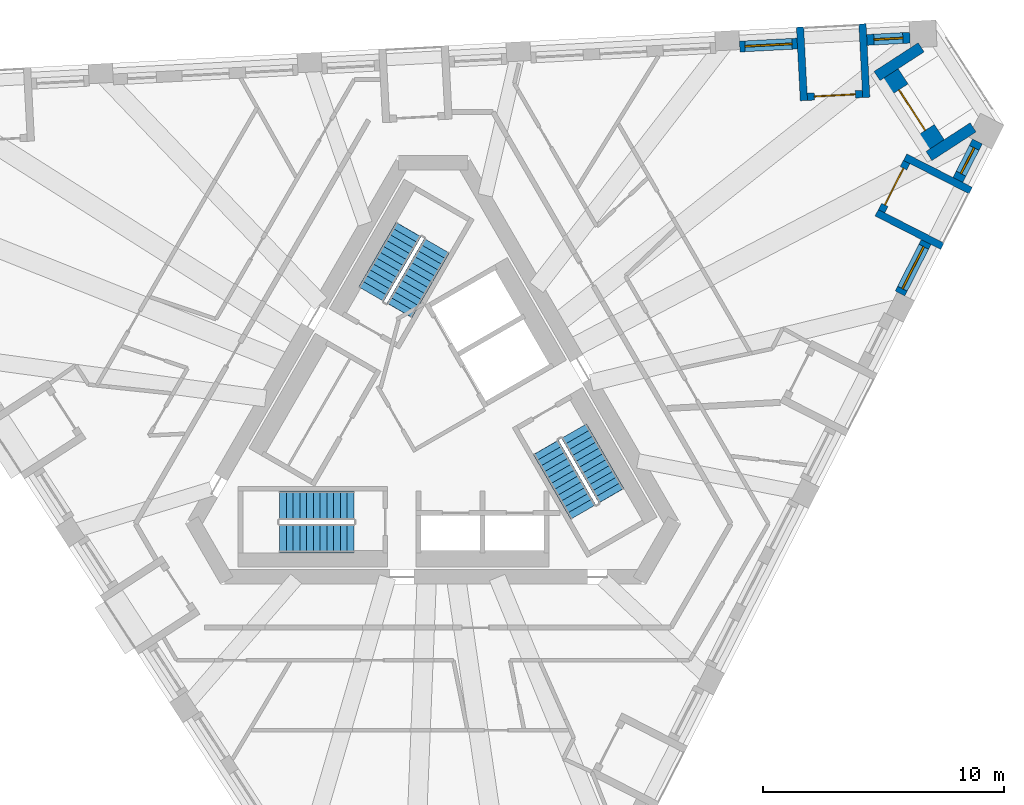
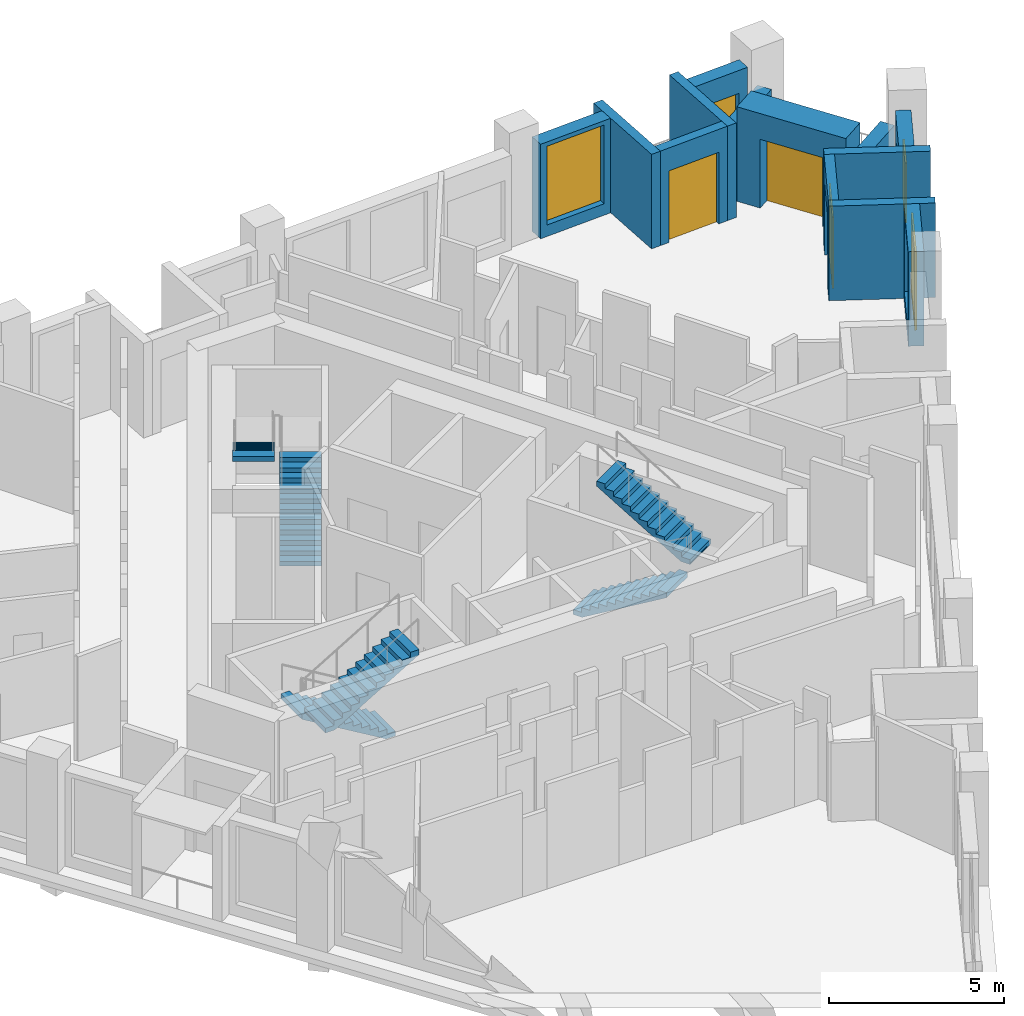
# One storey, part 8 of 12: 13 walls, 6 stair flights, 4 windows, 3 doors, 7 openings, 3 elements without a shape of their own.
"""IFC4 building model written with IfcOpenShell, lengths in metres."""

from ifc_helpers import new_model, si_unit, direction, frame, frame_2d, origin, place, context, subcontext, project, spatial, polyline, rectangle, outline, extrude, material, layer, layer_set, type_object, element, fill, aggregate, save


model = new_model("IFC4")

# Units and contexts
model_context = context("Model", 3, precision=1e-05, world=origin(), true_north=direction((0.0, 1.0)))
body_context = subcontext(model_context, "Body", "Model", "MODEL_VIEW")
ifc_project = project(units=[si_unit("LENGTHUNIT", "METRE"), si_unit("AREAUNIT", "SQUARE_METRE"), si_unit("VOLUMEUNIT", "CUBIC_METRE"), si_unit("PLANEANGLEUNIT", "RADIAN"), si_unit("MASSUNIT", "GRAM", prefix="KILO")], contexts=[model_context])

# Site, building, storey
site_placement = place(None, origin())
site = spatial("IfcSite", under=ifc_project, at=site_placement, CompositionType="ELEMENT")
building_placement = place(site_placement, origin())
building = spatial("IfcBuilding", under=site, at=building_placement, Name="Tramontana Tower", CompositionType="ELEMENT")
storey_placement = place(building_placement, frame((0.0, 0.0, 298.39990234375)))
storey = spatial("IfcBuildingStorey", under=building, at=storey_placement, Name="L70", CompositionType="ELEMENT", Elevation=298.39990234375)

# Wall, opening, window
ifc_material_1 = material(Name="Precast concrete 60 MPa", Category="concrete")
ifc_layer_1 = layer(ifc_material_1, 0.449951171875)
ifc_layer_set_1 = layer_set([ifc_layer_1], Name="Precast concrete 60 MPa, 450 mm")
wall_type_1 = type_object("IfcWallType", Name="EW1 Stone-faced precast wall 450", PredefinedType="SOLIDWALL", material=ifc_layer_set_1)
wall_1_placement = place(storey_placement, frame((19.333740234375, 5.28955078125, 0.0), z_axis=(0.0, 0.0, 1.0), x_axis=(0.453951830128, 0.891026226283, 0.0)))
wall_1 = element("IfcWall", 1, at=wall_1_placement, inside=storey, type_object=wall_type_1, Name="External wall L70 face 1 bay 5", PredefinedType="SOLIDWALL", context=body_context, shape_type="SweptSolid", body=[
    extrude(rectangle(XDim=2.38671875, YDim=0.449951171875, at=frame_2d((1.193359375, 0.0))), origin(), (0.0, 0.0, 1.0), 3.300048828125),
])
opening_1_placement = place(wall_1_placement, frame((0.21826171875, 0.0, 0.39990234375)))
opening_1 = element("IfcOpeningElement", 2, at=opening_1_placement, cuts=wall_1, Name="Opening M3", PredefinedType="OPENING", context=body_context, shape_type="SweptSolid", body=[
    extrude(rectangle(XDim=1.949951171875, YDim=2.75, at=frame_2d((0.97509765625, 1.375))), frame((0.0, 0.23486328125, 0.0), z_axis=(0.0, -1.0, 0.0), x_axis=(1.0, 0.0, 0.0)), (0.0, 0.0, 1.0), 0.469970703125),
])
ifc_material_2 = material(Name="Aluminum frame, double glazing unit", Category="aluminium")
window_type_1 = type_object("IfcWindowType", Name="M3 Window 1.95 x 2.75", PartitioningType="SINGLE_PANEL", PredefinedType="WINDOW", material=ifc_material_2)
window_1_placement = place(opening_1_placement, origin())
window_1 = element("IfcWindow", 3, at=window_1_placement, inside=storey, type_object=window_type_1, Name="Window M3 L70 face 1 module 13", OverallHeight=2.75, OverallWidth=1.949951171875, PartitioningType="SINGLE_PANEL", PredefinedType="WINDOW", context=body_context, shape_type="SweptSolid", body=[
    extrude(rectangle(XDim=1.949951171875, YDim=2.75, at=frame_2d((0.97509765625, 1.375))), frame((0.0, 0.030029296875, 0.0), z_axis=(0.0, -1.0, 0.0), x_axis=(1.0, 0.0, 0.0)), (0.0, 0.0, 1.0), 0.06005859375),
])
fill(opening_1, window_1)

wall_2_placement = place(storey_placement, frame((21.727783203125, 9.98828125, 0.0), z_axis=(0.0, 0.0, 1.0), x_axis=(0.454032211525, 0.890985269742, 0.0)))
wall_2 = element("IfcWall", 4, at=wall_2_placement, inside=storey, type_object=wall_type_1, Name="External wall L70 face 1 bay 5", PredefinedType="SOLIDWALL", context=body_context, shape_type="SweptSolid", body=[
    extrude(rectangle(XDim=1.786865234375, YDim=0.449951171875, at=frame_2d((0.8935546875, 0.0))), origin(), (0.0, 0.0, 1.0), 3.300048828125),
])
opening_2_placement = place(wall_2_placement, frame((0.29345703125, 0.0, 0.39990234375)))
opening_2 = element("IfcOpeningElement", 5, at=opening_2_placement, cuts=wall_2, Name="Opening N3L", PredefinedType="OPENING", context=body_context, shape_type="SweptSolid", body=[
    extrude(rectangle(XDim=1.199951171875, YDim=2.10009765625, at=frame_2d((0.60009765625, 1.050048828125))), frame((0.0, 0.23486328125, 0.0), z_axis=(0.0, -1.0, 0.0), x_axis=(1.0, 0.0, 0.0)), (0.0, 0.0, 1.0), 0.469970703125),
])
ifc_material_3 = material(Name="Aluminum frame, double glazing unit", Category="aluminium")
window_type_2 = type_object("IfcWindowType", Name="N3L Window 1.2 x 2.1", PartitioningType="SINGLE_PANEL", PredefinedType="WINDOW", material=ifc_material_3)
window_2_placement = place(opening_2_placement, origin())
window_2 = element("IfcWindow", 6, at=window_2_placement, inside=storey, type_object=window_type_2, Name="Window N3L L70 face 1 module 15", OverallHeight=2.10009765625, OverallWidth=1.199951171875, PartitioningType="SINGLE_PANEL", PredefinedType="WINDOW", context=body_context, shape_type="SweptSolid", body=[
    extrude(rectangle(XDim=1.199951171875, YDim=2.10009765625, at=frame_2d((0.60009765625, 1.050048828125))), frame((0.0, 0.030029296875, 0.0), z_axis=(0.0, -1.0, 0.0), x_axis=(1.0, 0.0, 0.0)), (0.0, 0.0, 1.0), 0.06005859375),
])
fill(opening_2, window_2)

wall_3_placement = place(storey_placement, frame((19.74658203125, 15.880126953125, 0.0), z_axis=(0.0, 0.0, 1.0), x_axis=(-0.998629506551, -0.052336494391, 0.0)))
wall_3 = element("IfcWall", 7, at=wall_3_placement, inside=storey, type_object=wall_type_1, Name="External wall L70 face 2 bay 1", PredefinedType="SOLIDWALL", context=body_context, shape_type="SweptSolid", body=[
    extrude(rectangle(XDim=1.78662109375, YDim=0.449951171875, at=frame_2d((0.893310546875, 0.0))), origin(), (0.0, 0.0, 1.0), 3.300048828125),
])
opening_3_placement = place(wall_3_placement, frame((0.29345703125, 0.0, 0.39990234375)))
opening_3 = element("IfcOpeningElement", 8, at=opening_3_placement, cuts=wall_3, Name="Opening N3L", PredefinedType="OPENING", context=body_context, shape_type="SweptSolid", body=[
    extrude(rectangle(XDim=1.199951171875, YDim=2.10009765625, at=frame_2d((0.60009765625, 1.050048828125))), frame((0.0, 0.23486328125, 0.0), z_axis=(0.0, -1.0, 0.0), x_axis=(1.0, 0.0, 0.0)), (0.0, 0.0, 1.0), 0.469970703125),
])
window_3_placement = place(opening_3_placement, origin())
window_3 = element("IfcWindow", 9, at=window_3_placement, inside=storey, type_object=window_type_2, Name="Window N3L L70 face 2 module 1", OverallHeight=2.10009765625, OverallWidth=1.199951171875, PartitioningType="SINGLE_PANEL", PredefinedType="WINDOW", context=body_context, shape_type="SweptSolid", body=[
    extrude(rectangle(XDim=1.199951171875, YDim=2.10009765625, at=frame_2d((0.60009765625, 1.050048828125))), frame((0.0, 0.030029296875, 0.0), z_axis=(0.0, -1.0, 0.0), x_axis=(1.0, 0.0, 0.0)), (0.0, 0.0, 1.0), 0.06005859375),
])
fill(opening_3, window_3)

wall_4_placement = place(storey_placement, frame((15.07958984375, 15.6357421875, 0.0), z_axis=(0.0, 0.0, 1.0), x_axis=(-0.998627701279, -0.052370929331, 0.0)))
wall_4 = element("IfcWall", 10, at=wall_4_placement, inside=storey, type_object=wall_type_1, Name="External wall L70 face 2 bay 1", PredefinedType="SOLIDWALL", context=body_context, shape_type="SweptSolid", body=[
    extrude(rectangle(XDim=2.38671875, YDim=0.449951171875, at=frame_2d((1.193359375, 0.0))), origin(), (0.0, 0.0, 1.0), 3.300048828125),
])
opening_4_placement = place(wall_4_placement, frame((0.21826171875, 0.0, 0.39990234375)))
opening_4 = element("IfcOpeningElement", 11, at=opening_4_placement, cuts=wall_4, Name="Opening M3", PredefinedType="OPENING", context=body_context, shape_type="SweptSolid", body=[
    extrude(rectangle(XDim=1.949951171875, YDim=2.75, at=frame_2d((0.97509765625, 1.375))), frame((0.0, 0.23486328125, 0.0), z_axis=(0.0, -1.0, 0.0), x_axis=(1.0, 0.0, 0.0)), (0.0, 0.0, 1.0), 0.469970703125),
])
window_4_placement = place(opening_4_placement, origin())
window_4 = element("IfcWindow", 12, at=window_4_placement, inside=storey, type_object=window_type_1, Name="Window M3 L70 face 2 module 3", OverallHeight=2.75, OverallWidth=1.949951171875, PartitioningType="SINGLE_PANEL", PredefinedType="WINDOW", context=body_context, shape_type="SweptSolid", body=[
    extrude(rectangle(XDim=1.949951171875, YDim=2.75, at=frame_2d((0.97509765625, 1.375))), frame((0.0, 0.030029296875, 0.0), z_axis=(0.0, -1.0, 0.0), x_axis=(1.0, 0.0, 0.0)), (0.0, 0.0, 1.0), 0.06005859375),
])
fill(opening_4, window_4)

# Walls
for number, where, z_axis, x_axis, name in (
    (13, (20.209228515625, 15.478759765625, 0.0), (0.0, 0.0, 1.0), (-0.838694375731, -0.544602372486, 0.0), "Corner loggia side wall L70 K72l"),
    (14, (22.3603515625, 12.166015625, 0.0), (0.0, 0.0, 1.0), (-0.838694375731, -0.544602372486, 0.0), "Corner loggia side wall L70 K72r"),
):
    element("IfcWall", number, at=place(storey_placement, frame(where, z_axis=z_axis, x_axis=x_axis)), inside=storey, type_object=wall_type_1, Name=name, PredefinedType="SOLIDWALL", context=body_context, shape_type="SweptSolid", body=[
        extrude(rectangle(XDim=2.17919921875, YDim=0.449951171875, at=frame_2d((1.089599609375, 0.0))), origin(), (0.0, 0.0, 1.0), 2.550048828125),
    ])

# Wall, opening, door
ifc_material_4 = material(Name="Precast concrete 60 MPa", Category="concrete")
ifc_layer_2 = layer(ifc_material_4, 0.89990234375)
ifc_layer_set_2 = layer_set([ifc_layer_2], Name="EW2 Stone-faced corner loggia wall 900")
wall_type_2 = type_object("IfcWallType", Name="EW2 Stone-faced corner loggia wall 900", PredefinedType="SOLIDWALL", material=ifc_layer_set_2)
wall_5_placement = place(storey_placement, frame((18.88134765625, 14.348388671875, 0.0), z_axis=(0.0, 0.0, 1.0), x_axis=(0.544647498784, -0.838665071449, 0.0)))
wall_5 = element("IfcWall", 15, at=wall_5_placement, inside=storey, type_object=wall_type_2, Name="Corner loggia wall L70 K72", PredefinedType="SOLIDWALL", context=body_context, shape_type="SweptSolid", body=[
    extrude(rectangle(XDim=3.5, YDim=0.89990234375, at=frame_2d((1.75, 0.0))), origin(), (0.0, 0.0, 1.0), 3.300048828125),
])
opening_5_placement = place(wall_5_placement, frame((0.75, 0.0, 0.0)))
opening_5 = element("IfcOpeningElement", 16, at=opening_5_placement, cuts=wall_5, Name="Opening BD-72C", PredefinedType="OPENING", context=body_context, shape_type="SweptSolid", body=[
    extrude(rectangle(XDim=2.0, YDim=2.39990234375, at=frame_2d((1.0, 1.199951171875))), frame((0.0, 0.4599609375, 0.0), z_axis=(0.0, -1.0, 0.0), x_axis=(1.0, 0.0, 0.0)), (0.0, 0.0, 1.0), 0.919921875),
])
ifc_material_5 = material(Name="Aluminum frame, double glazing unit", Category="aluminium")
door_type_1 = type_object("IfcDoorType", Name="BC1 Sliding door 2 x 2.4", OperationType="SLIDING_TO_LEFT", PredefinedType="DOOR", material=ifc_material_5)
door_1_placement = place(opening_5_placement, origin())
door_1 = element("IfcDoor", 17, at=door_1_placement, inside=storey, type_object=door_type_1, Name="Corner loggia door L70 K72", OperationType="SLIDING_TO_LEFT", OverallHeight=2.39990234375, OverallWidth=2.0, PredefinedType="DOOR", context=body_context, shape_type="SweptSolid", body=[
    extrude(rectangle(XDim=2.0, YDim=2.39990234375, at=frame_2d((1.0, 1.199951171875))), frame((0.0, 0.02490234375, 0.0), z_axis=(0.0, -1.0, 0.0), x_axis=(1.0, 0.0, 0.0)), (0.0, 0.0, 1.0), 0.050048828125),
])
fill(opening_5, door_1)

ifc_material_6 = material(Name="Precast concrete 60 MPa", Category="concrete")
ifc_layer_3 = layer(ifc_material_6, 0.300048828125)
ifc_layer_set_3 = layer_set([ifc_layer_3], Name="LW1 Stone-faced loggia wall 300")
wall_type_3 = type_object("IfcWallType", Name="LW1 Stone-faced loggia wall 300", PredefinedType="SOLIDWALL", material=ifc_layer_set_3)
wall_6_placement = place(storey_placement, frame((18.571044921875, 8.693603515625, 0.0), z_axis=(0.0, 0.0, 1.0), x_axis=(0.453948171533, 0.89102809022, 0.0)))
wall_6 = element("IfcWall", 18, at=wall_6_placement, inside=storey, type_object=wall_type_3, Name="Loggia wall L70 G7S1.13", PredefinedType="SOLIDWALL", context=body_context, shape_type="SweptSolid", body=[
    extrude(rectangle(XDim=2.286865234375, YDim=0.300048828125, at=frame_2d((1.1435546875, 0.0))), origin(), (0.0, 0.0, 1.0), 3.300048828125),
])
opening_6_placement = place(wall_6_placement, frame((0.29345703125, 0.0, 0.0)))
opening_6 = element("IfcOpeningElement", 19, at=opening_6_placement, cuts=wall_6, Name="Opening BD-7S1-13", PredefinedType="OPENING", context=body_context, shape_type="SweptSolid", body=[
    extrude(rectangle(XDim=1.699951171875, YDim=2.5, at=frame_2d((0.85009765625, 1.25))), frame((0.0, 0.159912109375, 0.0), z_axis=(0.0, -1.0, 0.0), x_axis=(1.0, 0.0, 0.0)), (0.0, 0.0, 1.0), 0.320068359375),
])
ifc_material_7 = material(Name="Aluminum frame, double glazing unit", Category="aluminium")
door_type_2 = type_object("IfcDoorType", Name="BD3 Sliding door 1.7 x 2.5", OperationType="SLIDING_TO_LEFT", PredefinedType="DOOR", material=ifc_material_7)
door_2_placement = place(opening_6_placement, origin())
door_2 = element("IfcDoor", 20, at=door_2_placement, inside=storey, type_object=door_type_2, Name="Loggia door L70 G7S1.13", OperationType="SLIDING_TO_LEFT", OverallHeight=2.5, OverallWidth=1.699951171875, PredefinedType="DOOR", context=body_context, shape_type="SweptSolid", body=[
    extrude(rectangle(XDim=1.699951171875, YDim=2.5, at=frame_2d((0.85009765625, 1.25))), frame((0.0, 0.02490234375, 0.0), z_axis=(0.0, -1.0, 0.0), x_axis=(1.0, 0.0, 0.0)), (0.0, 0.0, 1.0), 0.050048828125),
])
fill(opening_6, door_2)

# Walls
for number, where, z_axis, x_axis, name in (
    (21, (21.086669921875, 7.243408203125, 0.0), (0.0, 0.0, 1.0), (-0.890991233495, 0.454020508165, 0.0), "Loggia return L70 G7S1.13a"),
    (22, (22.26123046875, 9.54833984375, 0.0), (0.0, 0.0, 1.0), (-0.891040107702, 0.453924582355, 0.0), "Loggia return L70 G7S1.13b"),
):
    element("IfcWall", number, at=place(storey_placement, frame(where, z_axis=z_axis, x_axis=x_axis)), inside=storey, type_object=wall_type_3, Name=name, PredefinedType="SOLIDWALL", context=body_context, shape_type="SweptSolid", body=[
        extrude(rectangle(XDim=3.050048828125, YDim=0.300048828125, at=frame_2d((1.52490234375, 0.0))), origin(), (0.0, 0.0, 1.0), 3.300048828125),
    ])

# Wall, opening, door
wall_7_placement = place(storey_placement, frame((17.779052734375, 13.549072265625, 0.0), z_axis=(0.0, 0.0, 1.0), x_axis=(-0.998630483018, -0.052317859155, 0.0)))
wall_7 = element("IfcWall", 23, at=wall_7_placement, inside=storey, type_object=wall_type_3, Name="Loggia wall L70 G7S2.1", PredefinedType="SOLIDWALL", context=body_context, shape_type="SweptSolid", body=[
    extrude(rectangle(XDim=2.28662109375, YDim=0.300048828125, at=frame_2d((1.143310546875, 0.0))), origin(), (0.0, 0.0, 1.0), 3.300048828125),
])
opening_7_placement = place(wall_7_placement, frame((0.29345703125, 0.0, 0.0)))
opening_7 = element("IfcOpeningElement", 24, at=opening_7_placement, cuts=wall_7, Name="Opening BD-7S2-01", PredefinedType="OPENING", context=body_context, shape_type="SweptSolid", body=[
    extrude(rectangle(XDim=1.699951171875, YDim=2.5, at=frame_2d((0.85009765625, 1.25))), frame((0.0, 0.159912109375, 0.0), z_axis=(0.0, -1.0, 0.0), x_axis=(1.0, 0.0, 0.0)), (0.0, 0.0, 1.0), 0.320068359375),
])
door_3_placement = place(opening_7_placement, origin())
door_3 = element("IfcDoor", 25, at=door_3_placement, inside=storey, type_object=door_type_2, Name="Loggia door L70 G7S2.1", OperationType="SLIDING_TO_LEFT", OverallHeight=2.5, OverallWidth=1.699951171875, PredefinedType="DOOR", context=body_context, shape_type="SweptSolid", body=[
    extrude(rectangle(XDim=1.699951171875, YDim=2.5, at=frame_2d((0.85009765625, 1.25))), frame((0.0, 0.02490234375, 0.0), z_axis=(0.0, -1.0, 0.0), x_axis=(1.0, 0.0, 0.0)), (0.0, 0.0, 1.0), 0.050048828125),
])
fill(opening_7, door_3)

# Walls
wall_8_placement = place(storey_placement, frame((17.777099609375, 16.452880859375, 0.0), z_axis=(0.0, 0.0, 1.0), x_axis=(0.052352956549, -0.998628643661, 0.0)))
element("IfcWall", 26, at=wall_8_placement, inside=storey, type_object=wall_type_3, Name="Loggia return L70 G7S2.1a", PredefinedType="SOLIDWALL", context=body_context, shape_type="SweptSolid", body=[
    extrude(rectangle(XDim=3.0498046875, YDim=0.300048828125, at=frame_2d((1.52490234375, 0.0))), origin(), (0.0, 0.0, 1.0), 3.300048828125),
])
wall_9_placement = place(storey_placement, frame((15.19384765625, 16.317626953125, 0.0), z_axis=(0.0, 0.0, 1.0), x_axis=(0.052348771756, -0.99862886304, 0.0)))
element("IfcWall", 27, at=wall_9_placement, inside=storey, type_object=wall_type_3, Name="Loggia return L70 G7S2.1b", PredefinedType="SOLIDWALL", context=body_context, shape_type="SweptSolid", body=[
    extrude(rectangle(XDim=3.050048828125, YDim=0.300048828125, at=frame_2d((1.52490234375, 0.0))), origin(), (0.0, 0.0, 1.0), 3.300048828125),
])

# Stair, stair flights
ifc_material_8 = material(Name="Concrete 40 MPa", Category="concrete")
stair_type = type_object("IfcStairType", Name="EXIT STAIR 24 RISERS", PredefinedType="HALF_TURN_STAIR", material=ifc_material_8)
stair_1_placement = place(storey_placement, origin())
stair_1 = element("IfcStair", 28, at=stair_1_placement, inside=storey, type_object=stair_type, Name="L70 Exit stair ST1", PredefinedType="HALF_TURN_STAIR")
ifc_material_9 = material(Name="Concrete 40 MPa", Category="concrete")
ifc_layer_4 = layer(ifc_material_9, 0.14990234375)
ifc_layer_set_4 = layer_set([ifc_layer_4], Name="EXIT STAIR FLIGHT")
stair_flight_type = type_object("IfcStairFlightType", Name="EXIT STAIR FLIGHT", PredefinedType="STRAIGHT", material=ifc_layer_set_4)
stair_flight_1_placement = place(storey_placement, frame((-1.39111328125, 4.590576171875, 0.0), z_axis=(0.0, 0.0, 1.0), x_axis=(0.5, 0.866025403784, 0.0)))
stair_flight_1 = element("IfcStairFlight", 29, at=stair_flight_1_placement, type_object=stair_flight_type, Name="ST1 flight 1", NumberOfRisers=12, NumberOfTreads=11, PredefinedType="STRAIGHT", RiserHeight=0.166666667, TreadLength=0.28, context=body_context, shape_type="SweptSolid", body=[
    extrude(outline(polyline([(-0.006103515625, 0.0), (-0.006103515625, 0.0400390625), (0.0, 0.0400390625), (0.0, 0.166748046875), (0.280029296875, 0.166748046875), (0.280029296875, 0.333251953125), (0.56005859375, 0.333251953125), (0.56005859375, 0.5), (0.840087890625, 0.5), (0.840087890625, 0.666748046875), (1.1201171875, 0.666748046875), (1.1201171875, 0.833251953125), (1.39990234375, 0.833251953125), (1.39990234375, 1.0), (1.679931640625, 1.0), (1.679931640625, 1.166748046875), (1.9599609375, 1.166748046875), (1.9599609375, 1.333251953125), (2.239990234375, 1.333251953125), (2.239990234375, 1.5), (2.52001953125, 1.5), (2.52001953125, 1.666748046875), (2.800048828125, 1.666748046875), (2.800048828125, 1.833251953125), (3.080078125, 1.833251953125), (3.0859375, 1.833251953125), (3.0859375, 1.658935546875), (0.299072265625, 0.0), (-0.006103515625, 0.0)])), frame((0.0, 0.60009765625, 0.0), z_axis=(0.0, -1.0, 0.0), x_axis=(1.0, 0.0, 0.0)), (0.0, 0.0, 1.0), 1.199951171875),
])
stair_flight_2_placement = place(storey_placement, frame((-1.020263671875, 7.932861328125, 2.0), z_axis=(0.0, 0.0, 1.0), x_axis=(-0.5, -0.866025403784, 0.0)))
stair_flight_2 = element("IfcStairFlight", 30, at=stair_flight_2_placement, type_object=stair_flight_type, Name="ST1 flight 2", NumberOfRisers=12, NumberOfTreads=11, PredefinedType="STRAIGHT", RiserHeight=0.166666667, TreadLength=0.28, context=body_context, shape_type="SweptSolid", body=[
    extrude(outline(polyline([(-0.006103515625, 0.0), (-0.006103515625, 0.0400390625), (0.0, 0.0400390625), (0.0, 0.166748046875), (0.280029296875, 0.166748046875), (0.280029296875, 0.333251953125), (0.56005859375, 0.333251953125), (0.56005859375, 0.5), (0.840087890625, 0.5), (0.840087890625, 0.666748046875), (1.1201171875, 0.666748046875), (1.1201171875, 0.833251953125), (1.39990234375, 0.833251953125), (1.39990234375, 1.0), (1.679931640625, 1.0), (1.679931640625, 1.166748046875), (1.9599609375, 1.166748046875), (1.9599609375, 1.333251953125), (2.239990234375, 1.333251953125), (2.239990234375, 1.5), (2.52001953125, 1.5), (2.52001953125, 1.666748046875), (2.800048828125, 1.666748046875), (2.800048828125, 1.833251953125), (3.080078125, 1.833251953125), (3.0859375, 1.833251953125), (3.0859375, 1.658935546875), (0.299072265625, 0.0), (-0.006103515625, 0.0)])), frame((0.0, 0.60009765625, 0.0), z_axis=(0.0, -1.0, 0.0), x_axis=(1.0, 0.0, 0.0)), (0.0, 0.0, 1.0), 1.199951171875),
])
aggregate(stair_1, [stair_flight_1, stair_flight_2])

stair_2_placement = place(storey_placement, origin())
stair_2 = element("IfcStair", 31, at=stair_2_placement, inside=storey, type_object=stair_type, Name="L70 Exit stair ST2", PredefinedType="HALF_TURN_STAIR")
stair_flight_3_placement = place(storey_placement, frame((-3.280029296875, -3.5, 0.0), z_axis=(0.0, 0.0, 1.0), x_axis=(-1.0, 0.0, 0.0)))
stair_flight_3 = element("IfcStairFlight", 32, at=stair_flight_3_placement, type_object=stair_flight_type, Name="ST2 flight 1", NumberOfRisers=12, NumberOfTreads=11, PredefinedType="STRAIGHT", RiserHeight=0.166666667, TreadLength=0.28, context=body_context, shape_type="SweptSolid", body=[
    extrude(outline(polyline([(-0.006103515625, 0.0), (-0.006103515625, 0.0400390625), (0.0, 0.0400390625), (0.0, 0.166748046875), (0.280029296875, 0.166748046875), (0.280029296875, 0.333251953125), (0.56005859375, 0.333251953125), (0.56005859375, 0.5), (0.840087890625, 0.5), (0.840087890625, 0.666748046875), (1.1201171875, 0.666748046875), (1.1201171875, 0.833251953125), (1.39990234375, 0.833251953125), (1.39990234375, 1.0), (1.679931640625, 1.0), (1.679931640625, 1.166748046875), (1.9599609375, 1.166748046875), (1.9599609375, 1.333251953125), (2.239990234375, 1.333251953125), (2.239990234375, 1.5), (2.52001953125, 1.5), (2.52001953125, 1.666748046875), (2.800048828125, 1.666748046875), (2.800048828125, 1.833251953125), (3.080078125, 1.833251953125), (3.0859375, 1.833251953125), (3.0859375, 1.658935546875), (0.299072265625, 0.0), (-0.006103515625, 0.0)])), frame((0.0, 0.60009765625, 0.0), z_axis=(0.0, -1.0, 0.0), x_axis=(1.0, 0.0, 0.0)), (0.0, 0.0, 1.0), 1.199951171875),
])
stair_flight_4_placement = place(storey_placement, frame((-6.360107421875, -4.85009765625, 2.0), z_axis=(0.0, 0.0, 1.0), x_axis=(1.0, 0.0, 0.0)))
stair_flight_4 = element("IfcStairFlight", 33, at=stair_flight_4_placement, type_object=stair_flight_type, Name="ST2 flight 2", NumberOfRisers=12, NumberOfTreads=11, PredefinedType="STRAIGHT", RiserHeight=0.166666667, TreadLength=0.28, context=body_context, shape_type="SweptSolid", body=[
    extrude(outline(polyline([(-0.006103515625, 0.0), (-0.006103515625, 0.0400390625), (0.0, 0.0400390625), (0.0, 0.166748046875), (0.280029296875, 0.166748046875), (0.280029296875, 0.333251953125), (0.56005859375, 0.333251953125), (0.56005859375, 0.5), (0.840087890625, 0.5), (0.840087890625, 0.666748046875), (1.1201171875, 0.666748046875), (1.1201171875, 0.833251953125), (1.39990234375, 0.833251953125), (1.39990234375, 1.0), (1.679931640625, 1.0), (1.679931640625, 1.166748046875), (1.9599609375, 1.166748046875), (1.9599609375, 1.333251953125), (2.239990234375, 1.333251953125), (2.239990234375, 1.5), (2.52001953125, 1.5), (2.52001953125, 1.666748046875), (2.800048828125, 1.666748046875), (2.800048828125, 1.833251953125), (3.080078125, 1.833251953125), (3.0859375, 1.833251953125), (3.0859375, 1.658935546875), (0.299072265625, 0.0), (-0.006103515625, 0.0)])), frame((0.0, 0.60009765625, 0.0), z_axis=(0.0, -1.0, 0.0), x_axis=(1.0, 0.0, 0.0)), (0.0, 0.0, 1.0), 1.199951171875),
])
aggregate(stair_2, [stair_flight_3, stair_flight_4])

stair_3_placement = place(storey_placement, origin())
stair_3 = element("IfcStair", 34, at=stair_3_placement, inside=storey, type_object=stair_type, Name="L70 Exit stair ST3", PredefinedType="HALF_TURN_STAIR")
stair_flight_5_placement = place(storey_placement, frame((4.671142578125, -1.090576171875, 0.0), z_axis=(0.0, 0.0, 1.0), x_axis=(0.5, -0.866025403784, 0.0)))
stair_flight_5 = element("IfcStairFlight", 35, at=stair_flight_5_placement, type_object=stair_flight_type, Name="ST3 flight 1", NumberOfRisers=12, NumberOfTreads=11, PredefinedType="STRAIGHT", RiserHeight=0.166666667, TreadLength=0.28, context=body_context, shape_type="SweptSolid", body=[
    extrude(outline(polyline([(-0.006103515625, 0.0), (-0.006103515625, 0.0400390625), (0.0, 0.0400390625), (0.0, 0.166748046875), (0.280029296875, 0.166748046875), (0.280029296875, 0.333251953125), (0.56005859375, 0.333251953125), (0.56005859375, 0.5), (0.840087890625, 0.5), (0.840087890625, 0.666748046875), (1.1201171875, 0.666748046875), (1.1201171875, 0.833251953125), (1.39990234375, 0.833251953125), (1.39990234375, 1.0), (1.679931640625, 1.0), (1.679931640625, 1.166748046875), (1.9599609375, 1.166748046875), (1.9599609375, 1.333251953125), (2.239990234375, 1.333251953125), (2.239990234375, 1.5), (2.52001953125, 1.5), (2.52001953125, 1.666748046875), (2.800048828125, 1.666748046875), (2.800048828125, 1.833251953125), (3.080078125, 1.833251953125), (3.0859375, 1.833251953125), (3.0859375, 1.658935546875), (0.299072265625, 0.0), (-0.006103515625, 0.0)])), frame((0.0, 0.60009765625, 0.0), z_axis=(0.0, -1.0, 0.0), x_axis=(1.0, 0.0, 0.0)), (0.0, 0.0, 1.0), 1.199951171875),
])
stair_flight_6_placement = place(storey_placement, frame((7.380126953125, -3.0830078125, 2.0), z_axis=(0.0, 0.0, 1.0), x_axis=(-0.5, 0.866025403784, 0.0)))
stair_flight_6 = element("IfcStairFlight", 36, at=stair_flight_6_placement, type_object=stair_flight_type, Name="ST3 flight 2", NumberOfRisers=12, NumberOfTreads=11, PredefinedType="STRAIGHT", RiserHeight=0.166666667, TreadLength=0.28, context=body_context, shape_type="SweptSolid", body=[
    extrude(outline(polyline([(-0.006103515625, 0.0), (-0.006103515625, 0.0400390625), (0.0, 0.0400390625), (0.0, 0.166748046875), (0.280029296875, 0.166748046875), (0.280029296875, 0.333251953125), (0.56005859375, 0.333251953125), (0.56005859375, 0.5), (0.840087890625, 0.5), (0.840087890625, 0.666748046875), (1.1201171875, 0.666748046875), (1.1201171875, 0.833251953125), (1.39990234375, 0.833251953125), (1.39990234375, 1.0), (1.679931640625, 1.0), (1.679931640625, 1.166748046875), (1.9599609375, 1.166748046875), (1.9599609375, 1.333251953125), (2.239990234375, 1.333251953125), (2.239990234375, 1.5), (2.52001953125, 1.5), (2.52001953125, 1.666748046875), (2.800048828125, 1.666748046875), (2.800048828125, 1.833251953125), (3.080078125, 1.833251953125), (3.0859375, 1.833251953125), (3.0859375, 1.658935546875), (0.299072265625, 0.0), (-0.006103515625, 0.0)])), frame((0.0, 0.60009765625, 0.0), z_axis=(0.0, -1.0, 0.0), x_axis=(1.0, 0.0, 0.0)), (0.0, 0.0, 1.0), 1.199951171875),
])
aggregate(stair_3, [stair_flight_5, stair_flight_6])

save(model, "model.ifc")
